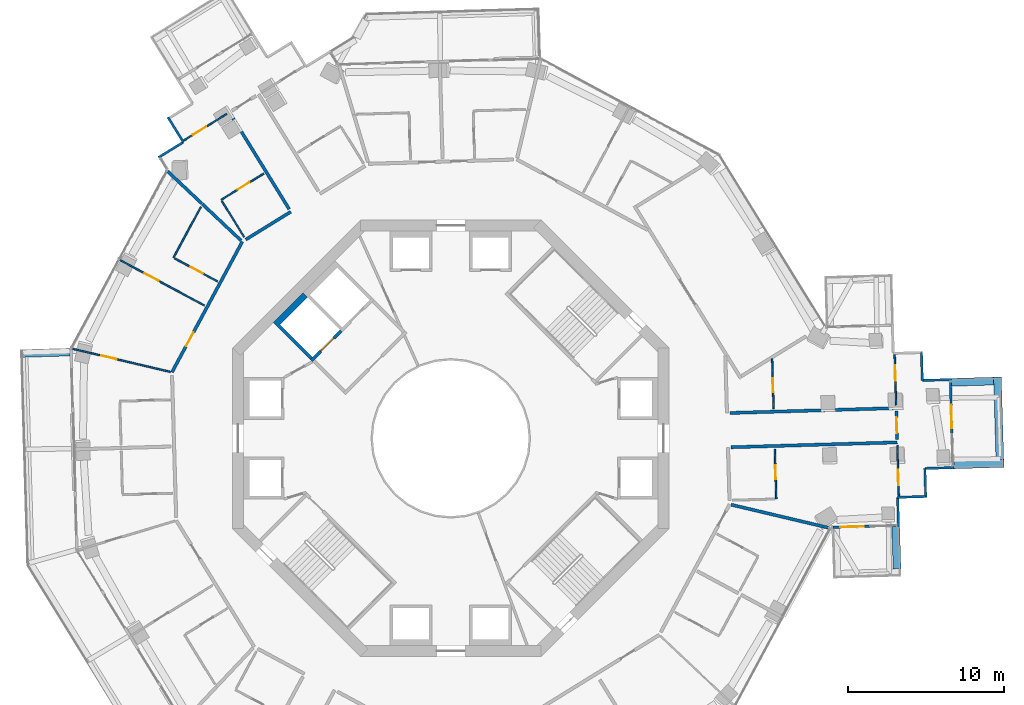
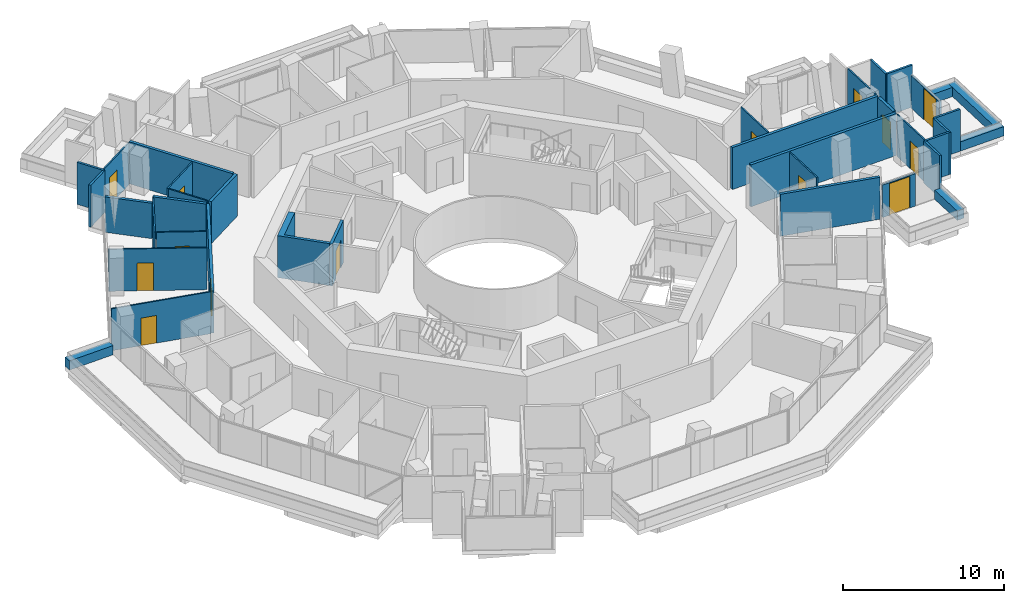
# One storey, part 17 of 22: 37 walls, 14 doors, 14 openings.
"""IFC4 building model written with IfcOpenShell, lengths in metres."""

from ifc_helpers import new_model, si_unit, direction, frame, frame_2d, origin, place, context, subcontext, project, spatial, polyline, rectangle, outline, extrude, material, layer, layer_set, type_object, element, fill, save


model = new_model("IFC4")

# Units and contexts
model_context = context("Model", 3, precision=1e-05, world=origin(), true_north=direction((0.0, 1.0)))
body_context = subcontext(model_context, "Body", "Model", "MODEL_VIEW")
ifc_project = project(units=[si_unit("LENGTHUNIT", "METRE"), si_unit("AREAUNIT", "SQUARE_METRE"), si_unit("VOLUMEUNIT", "CUBIC_METRE"), si_unit("PLANEANGLEUNIT", "RADIAN"), si_unit("MASSUNIT", "GRAM", prefix="KILO")], contexts=[model_context])

# Site, building, storey
site_placement = place(None, origin())
site = spatial("IfcSite", under=ifc_project, at=site_placement, CompositionType="ELEMENT")
building_placement = place(site_placement, origin())
building = spatial("IfcBuilding", under=site, at=building_placement, Name="Verdalira Terraces Hotel", CompositionType="ELEMENT")
storey_placement = place(building_placement, frame((0.0, 0.0, 162.0)))
storey = spatial("IfcBuildingStorey", under=building, at=storey_placement, Name="L39", CompositionType="ELEMENT", Elevation=162.0)

# Walls
ifc_material_1 = material(Name="Concrete C40", Category="concrete")
ifc_layer_1 = layer(ifc_material_1, 0.5)
ifc_layer_set_1 = layer_set([ifc_layer_1], Name="Balcony planter trough with tree")
wall_type_1 = type_object("IfcWallType", Name="Balcony planter trough with tree", PredefinedType="SOLIDWALL", material=ifc_layer_set_1)
wall_1_placement = place(storey_placement, frame((-24.432129, 5.536133, 0.0), z_axis=(0.0, 0.0, 1.0), x_axis=(-0.99957052, -0.029304862, 0.0)))
element("IfcWall", 1, at=wall_1_placement, inside=storey, type_object=wall_type_1, Name="Balcony planter", PredefinedType="SOLIDWALL", context=body_context, shape_type="SweptSolid", body=[
    extrude(rectangle(XDim=3.199219, YDim=0.5, at=frame_2d((1.599609, 0.0))), origin(), (0.0, 0.0, 1.0), 0.699951),
])
wall_2_placement = place(storey_placement, frame((28.628906, -8.364258, 0.0), z_axis=(0.0, 0.0, 1.0), x_axis=(-0.029308671, 0.999570409, 0.0)))
element("IfcWall", 2, at=wall_2_placement, inside=storey, type_object=wall_type_1, Name="Balcony planter", PredefinedType="SOLIDWALL", context=body_context, shape_type="SweptSolid", body=[
    extrude(rectangle(XDim=2.698975, YDim=0.5, at=frame_2d((1.349609, 0.0))), origin(), (0.0, 0.0, 1.0), 0.699951),
])
wall_3_placement = place(storey_placement, frame((32.286377, -1.704102, 0.0), z_axis=(0.0, 0.0, 1.0), x_axis=(0.999570455, 0.029307097, 0.0)))
element("IfcWall", 3, at=wall_3_placement, inside=storey, type_object=wall_type_1, Name="Balcony planter", PredefinedType="SOLIDWALL", context=body_context, shape_type="SweptSolid", body=[
    extrude(rectangle(XDim=3.198975, YDim=0.5, at=frame_2d((1.599609, 0.0))), origin(), (0.0, 0.0, 1.0), 0.699951),
])
wall_4_placement = place(storey_placement, frame((35.226807, -1.36792, 0.0), z_axis=(0.0, 0.0, 1.0), x_axis=(-0.029342199, 0.999569425, 0.0)))
element("IfcWall", 4, at=wall_4_placement, inside=storey, type_object=wall_type_1, Name="Balcony planter", PredefinedType="SOLIDWALL", context=body_context, shape_type="SweptSolid", body=[
    extrude(rectangle(XDim=5.300049, YDim=0.5, at=frame_2d((2.649902, 0.0))), origin(), (0.0, 0.0, 1.0), 0.699951),
])
wall_5_placement = place(storey_placement, frame((34.828857, 3.672607, 0.0), z_axis=(0.0, 0.0, 1.0), x_axis=(-0.999570486, -0.029306021, 0.0)))
element("IfcWall", 5, at=wall_5_placement, inside=storey, type_object=wall_type_1, Name="Balcony planter", PredefinedType="SOLIDWALL", context=body_context, shape_type="SweptSolid", body=[
    extrude(rectangle(XDim=2.699219, YDim=0.5, at=frame_2d((1.349609, 0.0))), origin(), (0.0, 0.0, 1.0), 0.699951),
])

# Wall, opening, door
ifc_material_2 = material(Name="Moisture-resistant gypsum board partition")
ifc_layer_2 = layer(ifc_material_2, 0.10009765625)
ifc_layer_set_2 = layer_set([ifc_layer_2], Name="Bathroom partition 100 mm")
wall_type_2 = type_object("IfcWallType", Name="Bathroom partition 100 mm", PredefinedType="PARTITIONING", material=ifc_layer_set_2)
wall_6_placement = place(storey_placement, frame((-17.990967, 4.259521, 0.0), z_axis=(0.0, 0.0, 1.0), x_axis=(-0.973098307, 0.230390289, 0.0)))
wall_6 = element("IfcWall", 6, at=wall_6_placement, inside=storey, type_object=wall_type_2, Name="Bathroom partition", PredefinedType="PARTITIONING", context=body_context, shape_type="SweptSolid", body=[
    extrude(rectangle(XDim=6.47583, YDim=0.100098, at=frame_2d((3.237793, 0.0))), origin(), (0.0, 0.0, 1.0), 3.189941),
])
opening_1_placement = place(wall_6_placement, frame((3.550049, 0.0, 0.0)))
opening_1 = element("IfcOpeningElement", 7, at=opening_1_placement, cuts=wall_6, Name="Opening L39-108", PredefinedType="OPENING", context=body_context, shape_type="SweptSolid", body=[
    extrude(rectangle(XDim=1.0, YDim=2.100098, at=frame_2d((0.5, 1.050049))), frame((0.0, 0.060059, 0.0), z_axis=(0.0, -1.0, 0.0), x_axis=(1.0, 0.0, 0.0)), (0.0, 0.0, 1.0), 0.120117),
])
ifc_material_3 = material(Name="Timber door", Category="wood")
door_type_1 = type_object("IfcDoorType", Name="Suite internal door 1000 x 2100", OperationType="NOTDEFINED", PredefinedType="DOOR", material=ifc_material_3)
door_1_placement = place(opening_1_placement, origin())
door_1 = element("IfcDoor", 8, at=door_1_placement, inside=storey, type_object=door_type_1, Name="Suite internal door 3902", OperationType="SINGLE_SWING_LEFT", OverallHeight=2.10009765625, OverallWidth=1.0, PredefinedType="DOOR", context=body_context, shape_type="SweptSolid", body=[
    extrude(rectangle(XDim=1.0, YDim=2.100098, at=frame_2d((0.5, 1.050049))), frame((0.0, 0.024902, 0.0), z_axis=(0.0, -1.0, 0.0), x_axis=(1.0, 0.0, 0.0)), (0.0, 0.0, 1.0), 0.050049),
])
fill(opening_1, door_1)

wall_7_placement = place(storey_placement, frame((-21.2229, 11.437012, 0.0), z_axis=(0.0, 0.0, 1.0), x_axis=(0.880304066, -0.474409898, 0.0)))
wall_7 = element("IfcWall", 9, at=wall_7_placement, inside=storey, type_object=wall_type_2, Name="Bathroom partition", PredefinedType="PARTITIONING", context=body_context, shape_type="SweptSolid", body=[
    extrude(rectangle(XDim=6.150146, YDim=0.100098, at=frame_2d((3.075195, 0.0))), origin(), (0.0, 0.0, 1.0), 3.189941),
])
opening_2_placement = place(wall_7_placement, frame((1.800049, 0.0, 0.0)))
opening_2 = element("IfcOpeningElement", 10, at=opening_2_placement, cuts=wall_7, Name="Opening L39-107", PredefinedType="OPENING", context=body_context, shape_type="SweptSolid", body=[
    extrude(rectangle(XDim=1.0, YDim=2.100098, at=frame_2d((0.5, 1.050049))), frame((0.0, 0.060059, 0.0), z_axis=(0.0, -1.0, 0.0), x_axis=(1.0, 0.0, 0.0)), (0.0, 0.0, 1.0), 0.120117),
])
door_2_placement = place(opening_2_placement, origin())
door_2 = element("IfcDoor", 11, at=door_2_placement, inside=storey, type_object=door_type_1, Name="Suite internal door 3902", OperationType="SINGLE_SWING_LEFT", OverallHeight=2.10009765625, OverallWidth=1.0, PredefinedType="DOOR", context=body_context, shape_type="SweptSolid", body=[
    extrude(rectangle(XDim=1.0, YDim=2.100098, at=frame_2d((0.5, 1.050049))), frame((0.0, 0.024902, 0.0), z_axis=(0.0, -1.0, 0.0), x_axis=(1.0, 0.0, 0.0)), (0.0, 0.0, 1.0), 0.050049),
])
fill(opening_2, door_2)

# Wall
wall_8_placement = place(storey_placement, frame((-16.034668, 14.845947, 0.0), z_axis=(0.0, 0.0, 1.0), x_axis=(-0.474371009, -0.880325023, 0.0)))
element("IfcWall", 12, at=wall_8_placement, inside=storey, type_object=wall_type_2, Name="Bathroom partition", PredefinedType="PARTITIONING", context=body_context, shape_type="SweptSolid", body=[
    extrude(rectangle(XDim=3.704102, YDim=0.100098, at=frame_2d((1.852051, 0.0))), origin(), (0.0, 0.0, 1.0), 3.189941),
])

# Wall, opening, door
wall_9_placement = place(storey_placement, frame((-17.703857, 11.537842, 0.0), z_axis=(0.0, 0.0, 1.0), x_axis=(0.880304146, -0.474409749, 0.0)))
wall_9 = element("IfcWall", 13, at=wall_9_placement, inside=storey, type_object=wall_type_2, Name="Bathroom partition", PredefinedType="PARTITIONING", context=body_context, shape_type="SweptSolid", body=[
    extrude(rectangle(XDim=3.100098, YDim=0.100098, at=frame_2d((1.550049, 0.0))), origin(), (0.0, 0.0, 1.0), 3.189941),
])
opening_3_placement = place(wall_9_placement, frame((1.149902, 0.0, 0.0)))
opening_3 = element("IfcOpeningElement", 14, at=opening_3_placement, cuts=wall_9, Name="Opening L39-109", PredefinedType="OPENING", context=body_context, shape_type="SweptSolid", body=[
    extrude(rectangle(XDim=0.899902, YDim=2.100098, at=frame_2d((0.449951, 1.050049))), frame((0.0, 0.060059, 0.0), z_axis=(0.0, -1.0, 0.0), x_axis=(1.0, 0.0, 0.0)), (0.0, 0.0, 1.0), 0.120117),
])
ifc_material_4 = material(Name="Timber door", Category="wood")
door_type_2 = type_object("IfcDoorType", Name="Bathroom door 900 x 2100", OperationType="NOTDEFINED", PredefinedType="DOOR", material=ifc_material_4)
door_3_placement = place(opening_3_placement, origin())
door_3 = element("IfcDoor", 15, at=door_3_placement, inside=storey, type_object=door_type_2, Name="Bathroom door 3902", OperationType="SINGLE_SWING_LEFT", OverallHeight=2.10009765625, OverallWidth=0.89990234375, PredefinedType="DOOR", context=body_context, shape_type="SweptSolid", body=[
    extrude(rectangle(XDim=0.899902, YDim=2.100098, at=frame_2d((0.449951, 1.050049))), frame((0.0, 0.024902, 0.0), z_axis=(0.0, -1.0, 0.0), x_axis=(1.0, 0.0, 0.0)), (0.0, 0.0, 1.0), 0.050049),
])
fill(opening_3, door_3)

wall_10_placement = place(storey_placement, frame((-14.371338, 20.812012, 0.0), z_axis=(0.0, 0.0, 1.0), x_axis=(-0.850987472, -0.525185988, 0.0)))
wall_10 = element("IfcWall", 16, at=wall_10_placement, inside=storey, type_object=wall_type_2, Name="Bathroom partition", PredefinedType="PARTITIONING", context=body_context, shape_type="SweptSolid", body=[
    extrude(rectangle(XDim=3.252197, YDim=0.100098, at=frame_2d((1.625977, 0.0))), origin(), (0.0, 0.0, 1.0), 3.189941),
])
opening_4_placement = place(wall_10_placement, frame((1.550049, 0.0, 0.0)))
opening_4 = element("IfcOpeningElement", 17, at=opening_4_placement, cuts=wall_10, Name="Opening L39-103", PredefinedType="OPENING", context=body_context, shape_type="SweptSolid", body=[
    extrude(rectangle(XDim=1.0, YDim=2.100098, at=frame_2d((0.5, 1.050049))), frame((0.0, 0.060059, 0.0), z_axis=(0.0, -1.0, 0.0), x_axis=(1.0, 0.0, 0.0)), (0.0, 0.0, 1.0), 0.120117),
])
door_4_placement = place(opening_4_placement, origin())
door_4 = element("IfcDoor", 18, at=door_4_placement, inside=storey, type_object=door_type_1, Name="Suite internal door 3901", OperationType="SINGLE_SWING_LEFT", OverallHeight=2.10009765625, OverallWidth=1.0, PredefinedType="DOOR", context=body_context, shape_type="SweptSolid", body=[
    extrude(rectangle(XDim=1.0, YDim=2.100098, at=frame_2d((0.5, 1.050049))), frame((0.0, 0.024902, 0.0), z_axis=(0.0, -1.0, 0.0), x_axis=(1.0, 0.0, 0.0)), (0.0, 0.0, 1.0), 0.050049),
])
fill(opening_4, door_4)

# Wall
wall_11_placement = place(storey_placement, frame((-14.678711, 15.216797, 0.0), z_axis=(0.0, 0.0, 1.0), x_axis=(0.52518675, -0.850987002, 0.0)))
element("IfcWall", 19, at=wall_11_placement, inside=storey, type_object=wall_type_2, Name="Bathroom partition", PredefinedType="PARTITIONING", context=body_context, shape_type="SweptSolid", body=[
    extrude(rectangle(XDim=2.699951, YDim=0.100098, at=frame_2d((1.350098, 0.0))), origin(), (0.0, 0.0, 1.0), 3.189941),
])

# Wall, opening, door
wall_12_placement = place(storey_placement, frame((-12.008057, 16.982422, 0.0), z_axis=(0.0, 0.0, 1.0), x_axis=(-0.851010621, -0.525148476, 0.0)))
wall_12 = element("IfcWall", 20, at=wall_12_placement, inside=storey, type_object=wall_type_2, Name="Bathroom partition", PredefinedType="PARTITIONING", context=body_context, shape_type="SweptSolid", body=[
    extrude(rectangle(XDim=3.199951, YDim=0.100098, at=frame_2d((1.600098, 0.0))), origin(), (0.0, 0.0, 1.0), 3.189941),
])
opening_5_placement = place(wall_12_placement, frame((1.050049, 0.0, 0.0)))
opening_5 = element("IfcOpeningElement", 21, at=opening_5_placement, cuts=wall_12, Name="Opening L39-105", PredefinedType="OPENING", context=body_context, shape_type="SweptSolid", body=[
    extrude(rectangle(XDim=0.899902, YDim=2.100098, at=frame_2d((0.449951, 1.050049))), frame((0.0, 0.060059, 0.0), z_axis=(0.0, -1.0, 0.0), x_axis=(1.0, 0.0, 0.0)), (0.0, 0.0, 1.0), 0.120117),
])
door_5_placement = place(opening_5_placement, origin())
door_5 = element("IfcDoor", 22, at=door_5_placement, inside=storey, type_object=door_type_2, Name="Bathroom door 3901", OperationType="SINGLE_SWING_RIGHT", OverallHeight=2.10009765625, OverallWidth=0.89990234375, PredefinedType="DOOR", context=body_context, shape_type="SweptSolid", body=[
    extrude(rectangle(XDim=0.899902, YDim=2.100098, at=frame_2d((0.449951, 1.050049))), frame((0.0, 0.024902, 0.0), z_axis=(0.0, -1.0, 0.0), x_axis=(1.0, 0.0, 0.0)), (0.0, 0.0, 1.0), 0.050049),
])
fill(opening_5, door_5)

wall_13_placement = place(storey_placement, frame((20.711182, 1.907959, 0.0), z_axis=(0.0, 0.0, 1.0), x_axis=(-0.029302627, 0.999570586, 0.0)))
wall_13 = element("IfcWall", 23, at=wall_13_placement, inside=storey, type_object=wall_type_2, Name="Bathroom partition", PredefinedType="PARTITIONING", context=body_context, shape_type="SweptSolid", body=[
    extrude(rectangle(XDim=3.199463, YDim=0.100098, at=frame_2d((1.599609, 0.0))), origin(), (0.0, 0.0, 1.0), 3.189941),
])
opening_6_placement = place(wall_13_placement, frame((1.050049, 0.0, 0.0)))
opening_6 = element("IfcOpeningElement", 24, at=opening_6_placement, cuts=wall_13, Name="Opening L39-132", PredefinedType="OPENING", context=body_context, shape_type="SweptSolid", body=[
    extrude(rectangle(XDim=0.899902, YDim=2.100098, at=frame_2d((0.449951, 1.050049))), frame((0.0, 0.060059, 0.0), z_axis=(0.0, -1.0, 0.0), x_axis=(1.0, 0.0, 0.0)), (0.0, 0.0, 1.0), 0.120117),
])
door_6_placement = place(opening_6_placement, origin())
door_6 = element("IfcDoor", 25, at=door_6_placement, inside=storey, type_object=door_type_2, Name="Bathroom door 3909", OperationType="SINGLE_SWING_RIGHT", OverallHeight=2.10009765625, OverallWidth=0.89990234375, PredefinedType="DOOR", context=body_context, shape_type="SweptSolid", body=[
    extrude(rectangle(XDim=0.899902, YDim=2.100098, at=frame_2d((0.449951, 1.050049))), frame((0.0, 0.024902, 0.0), z_axis=(0.0, -1.0, 0.0), x_axis=(1.0, 0.0, 0.0)), (0.0, 0.0, 1.0), 0.050049),
])
fill(opening_6, door_6)

wall_14_placement = place(storey_placement, frame((20.881348, -3.889404, 0.0), z_axis=(0.0, 0.0, 1.0), x_axis=(-0.029298157, 0.999570717, 0.0)))
wall_14 = element("IfcWall", 26, at=wall_14_placement, inside=storey, type_object=wall_type_2, Name="Bathroom partition", PredefinedType="PARTITIONING", context=body_context, shape_type="SweptSolid", body=[
    extrude(rectangle(XDim=3.199951, YDim=0.100098, at=frame_2d((1.600098, 0.0))), origin(), (0.0, 0.0, 1.0), 3.189941),
])
opening_7_placement = place(wall_14_placement, frame((1.25, 0.0, 0.0)))
opening_7 = element("IfcOpeningElement", 27, at=opening_7_placement, cuts=wall_14, Name="Opening L39-131", PredefinedType="OPENING", context=body_context, shape_type="SweptSolid", body=[
    extrude(rectangle(XDim=0.899902, YDim=2.100098, at=frame_2d((0.449951, 1.050049))), frame((0.0, 0.060059, 0.0), z_axis=(0.0, -1.0, 0.0), x_axis=(1.0, 0.0, 0.0)), (0.0, 0.0, 1.0), 0.120117),
])
door_7_placement = place(opening_7_placement, origin())
door_7 = element("IfcDoor", 28, at=door_7_placement, inside=storey, type_object=door_type_2, Name="Bathroom door 3909", OperationType="SINGLE_SWING_LEFT", OverallHeight=2.10009765625, OverallWidth=0.89990234375, PredefinedType="DOOR", context=body_context, shape_type="SweptSolid", body=[
    extrude(rectangle(XDim=0.899902, YDim=2.100098, at=frame_2d((0.449951, 1.050049))), frame((0.0, 0.024902, 0.0), z_axis=(0.0, -1.0, 0.0), x_axis=(1.0, 0.0, 0.0)), (0.0, 0.0, 1.0), 0.050049),
])
fill(opening_7, door_7)

wall_15_placement = place(storey_placement, frame((28.571045, 2.138428, 0.0), z_axis=(0.0, 0.0, 1.0), x_axis=(-0.029295304, 0.9995708, 0.0)))
wall_15 = element("IfcWall", 29, at=wall_15_placement, inside=storey, type_object=wall_type_2, Name="Bathroom partition", PredefinedType="PARTITIONING", context=body_context, shape_type="SweptSolid", body=[
    extrude(rectangle(XDim=3.250244, YDim=0.100098, at=frame_2d((1.625, 0.0))), origin(), (0.0, 0.0, 1.0), 3.189941),
])
opening_8_placement = place(wall_15_placement, frame((1.550049, 0.0, 0.0)))
opening_8 = element("IfcOpeningElement", 30, at=opening_8_placement, cuts=wall_15, Name="Opening L39-130", PredefinedType="OPENING", context=body_context, shape_type="SweptSolid", body=[
    extrude(rectangle(XDim=1.0, YDim=2.100098, at=frame_2d((0.5, 1.050049))), frame((0.0, 0.060059, 0.0), z_axis=(0.0, -1.0, 0.0), x_axis=(1.0, 0.0, 0.0)), (0.0, 0.0, 1.0), 0.120117),
])
door_8_placement = place(opening_8_placement, origin())
door_8 = element("IfcDoor", 31, at=door_8_placement, inside=storey, type_object=door_type_1, Name="Suite internal door 3909", OperationType="SINGLE_SWING_LEFT", OverallHeight=2.10009765625, OverallWidth=1.0, PredefinedType="DOOR", context=body_context, shape_type="SweptSolid", body=[
    extrude(rectangle(XDim=1.0, YDim=2.100098, at=frame_2d((0.5, 1.050049))), frame((0.0, 0.024902, 0.0), z_axis=(0.0, -1.0, 0.0), x_axis=(1.0, 0.0, 0.0)), (0.0, 0.0, 1.0), 0.050049),
])
fill(opening_8, door_8)

wall_16_placement = place(storey_placement, frame((28.742676, -3.710938, 0.0), z_axis=(0.0, 0.0, 1.0), x_axis=(-0.029352724, 0.999569116, 0.0)))
wall_16 = element("IfcWall", 32, at=wall_16_placement, inside=storey, type_object=wall_type_2, Name="Bathroom partition", PredefinedType="PARTITIONING", context=body_context, shape_type="SweptSolid", body=[
    extrude(rectangle(XDim=3.252197, YDim=0.100098, at=frame_2d((1.625977, 0.0))), origin(), (0.0, 0.0, 1.0), 3.189941),
])
opening_9_placement = place(wall_16_placement, frame((0.699951, 0.0, 0.0)))
opening_9 = element("IfcOpeningElement", 33, at=opening_9_placement, cuts=wall_16, Name="Opening L39-129", PredefinedType="OPENING", context=body_context, shape_type="SweptSolid", body=[
    extrude(rectangle(XDim=1.0, YDim=2.100098, at=frame_2d((0.5, 1.050049))), frame((0.0, 0.060059, 0.0), z_axis=(0.0, -1.0, 0.0), x_axis=(1.0, 0.0, 0.0)), (0.0, 0.0, 1.0), 0.120117),
])
door_9_placement = place(opening_9_placement, origin())
door_9 = element("IfcDoor", 34, at=door_9_placement, inside=storey, type_object=door_type_1, Name="Suite internal door 3909", OperationType="SINGLE_SWING_LEFT", OverallHeight=2.10009765625, OverallWidth=1.0, PredefinedType="DOOR", context=body_context, shape_type="SweptSolid", body=[
    extrude(rectangle(XDim=1.0, YDim=2.100098, at=frame_2d((0.5, 1.050049))), frame((0.0, 0.024902, 0.0), z_axis=(0.0, -1.0, 0.0), x_axis=(1.0, 0.0, 0.0)), (0.0, 0.0, 1.0), 0.050049),
])
fill(opening_9, door_9)

# Wall
ifc_material_5 = material(Name="Concrete C50", Category="concrete")
ifc_layer_3 = layer(ifc_material_5, 0.199951171875)
ifc_layer_set_3 = layer_set([ifc_layer_3], Name="Core RC wall 200 C50")
wall_type_3 = type_object("IfcWallType", Name="Core RC wall 200 C50", PredefinedType="SOLIDWALL", material=ifc_layer_set_3)
wall_17_placement = place(storey_placement, origin())
element("IfcWall", 35, at=wall_17_placement, inside=storey, type_object=wall_type_3, Name="L39 shaft wall F2", PredefinedType="SOLIDWALL", context=body_context, shape_type="SweptSolid", body=[
    extrude(outline(polyline([(-11.384521, 7.424561), (-9.475098, 9.33374), (-9.192383, 9.051025), (-10.960205, 7.283203), (-8.874268, 5.197266), (-9.015625, 5.055908), (-11.384521, 7.424561)])), origin(), (0.0, 0.0, 1.0), 3.189941),
])

# Wall, opening, door
wall_18_placement = place(storey_placement, frame((-7.035645, 6.894287, 0.0), z_axis=(0.0, 0.0, 1.0), x_axis=(-0.707106781, -0.707106781, 0.0)))
wall_18 = element("IfcWall", 36, at=wall_18_placement, inside=storey, type_object=wall_type_3, Name="L39 shaft front wall F2", PredefinedType="SOLIDWALL", context=body_context, shape_type="SweptSolid", body=[
    extrude(rectangle(XDim=2.699951, YDim=0.199951, at=frame_2d((1.350098, 0.0))), origin(), (0.0, 0.0, 1.0), 3.189941),
])
opening_10_placement = place(wall_18_placement, frame((0.649902, 0.0, 0.0)))
opening_10 = element("IfcOpeningElement", 37, at=opening_10_placement, cuts=wall_18, Name="Opening LD-L39-808", PredefinedType="OPENING", context=body_context, shape_type="SweptSolid", body=[
    extrude(rectangle(XDim=1.199951, YDim=2.100098, at=frame_2d((0.600098, 1.050049))), frame((0.0, 0.109863, 0.0), z_axis=(0.0, -1.0, 0.0), x_axis=(1.0, 0.0, 0.0)), (0.0, 0.0, 1.0), 0.219971),
])
ifc_material_6 = material(Name="Stainless steel", Category="steel")
door_type_3 = type_object("IfcDoorType", Name="Landing door 1200 x 2100", OperationType="NOTDEFINED", PredefinedType="DOOR", material=ifc_material_6)
door_10_placement = place(opening_10_placement, origin())
door_10 = element("IfcDoor", 38, at=door_10_placement, inside=storey, type_object=door_type_3, Name="Lift landing door LF12 L39", OperationType="DOUBLE_DOOR_SLIDING", OverallHeight=2.10009765625, OverallWidth=1.199951171875, PredefinedType="DOOR", context=body_context, shape_type="SweptSolid", body=[
    extrude(rectangle(XDim=1.199951, YDim=2.100098, at=frame_2d((0.600098, 1.050049))), frame((0.0, 0.024902, 0.0), z_axis=(0.0, -1.0, 0.0), x_axis=(1.0, 0.0, 0.0)), (0.0, 0.0, 1.0), 0.050049),
])
fill(opening_10, door_10)

# Walls
ifc_material_7 = material(Name="Fire-rated gypsum board wall")
ifc_layer_4 = layer(ifc_material_7, 0.199951171875)
ifc_layer_set_4 = layer_set([ifc_layer_4], Name="Demising wall 200 mm")
wall_type_4 = type_object("IfcWallType", Name="Demising wall 200 mm", PredefinedType="SOLIDWALL", material=ifc_layer_set_4)
wall_19_placement = place(storey_placement, frame((-13.450928, 12.684326, 0.0), z_axis=(0.0, 0.0, 1.0), x_axis=(-0.727549683, 0.686054997, 0.0)))
element("IfcWall", 39, at=wall_19_placement, inside=storey, type_object=wall_type_4, Name="Demising wall", PredefinedType="SOLIDWALL", context=body_context, shape_type="SweptSolid", body=[
    extrude(rectangle(XDim=3.418457, YDim=0.199951, at=frame_2d((1.709229, 0.0))), origin(), (0.0, 0.0, 1.0), 3.189941),
])
wall_20_placement = place(storey_placement, frame((17.990967, -4.259521, 0.0), z_axis=(0.0, 0.0, 1.0), x_axis=(0.973098307, -0.230390289, 0.0)))
element("IfcWall", 40, at=wall_20_placement, inside=storey, type_object=wall_type_4, Name="Demising wall", PredefinedType="SOLIDWALL", context=body_context, shape_type="SweptSolid", body=[
    extrude(rectangle(XDim=6.47583, YDim=0.199951, at=frame_2d((3.237793, 0.0))), origin(), (0.0, 0.0, 1.0), 3.189941),
])
ifc_material_8 = material(Name="Fire-rated gypsum board wall")
ifc_layer_5 = layer(ifc_material_8, 0.199951171875)
ifc_layer_set_5 = layer_set([ifc_layer_5], Name="Demising wall 200 mm to beam soffit")
wall_type_5 = type_object("IfcWallType", Name="Demising wall 200 mm to beam soffit", PredefinedType="SOLIDWALL", material=ifc_layer_set_5)
wall_21_placement = place(storey_placement, frame((-15.971191, 15.061035, 0.0), z_axis=(0.0, 0.0, 1.0), x_axis=(-0.727516566, 0.686090115, 0.0)))
element("IfcWall", 41, at=wall_21_placement, inside=storey, type_object=wall_type_5, Name="Demising wall", PredefinedType="SOLIDWALL", context=body_context, shape_type="SweptSolid", body=[
    extrude(rectangle(XDim=3.011475, YDim=0.199951, at=frame_2d((1.505859, 0.0))), origin(), (0.0, 0.0, 1.0), 2.689941),
])

# Wall, opening, door
ifc_material_9 = material(Name="Fire-rated gypsum board wall")
ifc_layer_6 = layer(ifc_material_9, 0.199951171875)
ifc_layer_set_6 = layer_set([ifc_layer_6], Name="Guest corridor wall 200 mm")
wall_type_6 = type_object("IfcWallType", Name="Guest corridor wall 200 mm", PredefinedType="SOLIDWALL", material=ifc_layer_set_6)
wall_22_placement = place(storey_placement, frame((-17.890137, 4.235596, 0.0), z_axis=(0.0, 0.0, 1.0), x_axis=(0.474391993, 0.880313715, 0.0)))
wall_22 = element("IfcWall", 42, at=wall_22_placement, inside=storey, type_object=wall_type_6, Name="Guest corridor wall", PredefinedType="SOLIDWALL", context=body_context, shape_type="SweptSolid", body=[
    extrude(rectangle(XDim=9.516602, YDim=0.199951, at=frame_2d((4.758301, 0.0))), origin(), (0.0, 0.0, 1.0), 3.189941),
])
opening_11_placement = place(wall_22_placement, frame((1.899902, 0.0, 0.0)))
opening_11 = element("IfcOpeningElement", 43, at=opening_11_placement, cuts=wall_22, Name="Opening L39-106", PredefinedType="OPENING", context=body_context, shape_type="SweptSolid", body=[
    extrude(rectangle(XDim=1.0, YDim=2.100098, at=frame_2d((0.5, 1.050049))), frame((0.0, 0.109863, 0.0), z_axis=(0.0, -1.0, 0.0), x_axis=(1.0, 0.0, 0.0)), (0.0, 0.0, 1.0), 0.219971),
])
ifc_material_10 = material(Name="Timber fire door", Category="wood")
door_type_4 = type_object("IfcDoorType", Name="Guest entry door 1000 x 2100", OperationType="NOTDEFINED", PredefinedType="DOOR", material=ifc_material_10)
door_11_placement = place(opening_11_placement, origin())
door_11 = element("IfcDoor", 44, at=door_11_placement, inside=storey, type_object=door_type_4, Name="Guest entry door 3902", OperationType="SINGLE_SWING_LEFT", OverallHeight=2.10009765625, OverallWidth=1.0, PredefinedType="DOOR", context=body_context, shape_type="SweptSolid", body=[
    extrude(rectangle(XDim=1.0, YDim=2.100098, at=frame_2d((0.5, 1.050049))), frame((0.0, 0.024902, 0.0), z_axis=(0.0, -1.0, 0.0), x_axis=(1.0, 0.0, 0.0)), (0.0, 0.0, 1.0), 0.050049),
])
fill(opening_11, door_11)

# Walls
wall_23_placement = place(storey_placement, frame((-14.201172, 20.916992, 0.0), z_axis=(0.0, 0.0, 1.0), x_axis=(0.525162469, -0.851001986, 0.0)))
element("IfcWall", 45, at=wall_23_placement, inside=storey, type_object=wall_type_6, Name="Guest corridor wall", PredefinedType="SOLIDWALL", context=body_context, shape_type="SweptSolid", body=[
    extrude(rectangle(XDim=7.300049, YDim=0.199951, at=frame_2d((3.649902, 0.0))), origin(), (0.0, 0.0, 1.0), 3.189941),
])
wall_24_placement = place(storey_placement, frame((-10.262207, 14.534424, 0.0), z_axis=(0.0, 0.0, 1.0), x_axis=(-0.851033965, -0.525110647, 0.0)))
element("IfcWall", 46, at=wall_24_placement, inside=storey, type_object=wall_type_6, Name="Guest corridor wall", PredefinedType="SOLIDWALL", context=body_context, shape_type="SweptSolid", body=[
    extrude(rectangle(XDim=3.400146, YDim=0.199951, at=frame_2d((1.700195, 0.0))), origin(), (0.0, 0.0, 1.0), 3.189941),
])
for number, where, z_axis, x_axis, name in (
    (47, (28.576904, 1.938721, 0.0), (0.0, 0.0, 1.0), (-0.99956979, -0.02932975, 0.0), "Guest corridor wall"),
    (48, (17.98291, -0.572998, 0.0), (0.0, 0.0, 1.0), (0.999570461, 0.029306874, 0.0), "Guest corridor wall"),
):
    element("IfcWall", number, at=place(storey_placement, frame(where, z_axis=z_axis, x_axis=x_axis)), inside=storey, type_object=wall_type_6, Name=name, PredefinedType="SOLIDWALL", context=body_context, shape_type="SweptSolid", body=[
        extrude(rectangle(XDim=10.663086, YDim=0.199951, at=frame_2d((5.331543, 0.0))), origin(), (0.0, 0.0, 1.0), 3.189941),
    ])

# Wall, opening, door
wall_25_placement = place(storey_placement, frame((28.582764, 1.740723, 0.0), z_axis=(0.0, 0.0, 1.0), x_axis=(0.029232019, -0.999572653, 0.0)))
wall_25 = element("IfcWall", 49, at=wall_25_placement, inside=storey, type_object=wall_type_6, Name="Guest corridor wall", PredefinedType="SOLIDWALL", context=body_context, shape_type="SweptSolid", body=[
    extrude(rectangle(XDim=1.803955, YDim=0.199951, at=frame_2d((0.901855, 0.0))), origin(), (0.0, 0.0, 1.0), 3.189941),
])
opening_12_placement = place(wall_25_placement, frame((0.399902, 0.0, 0.0)))
opening_12 = element("IfcOpeningElement", 50, at=opening_12_placement, cuts=wall_25, Name="Opening L39-128", PredefinedType="OPENING", context=body_context, shape_type="SweptSolid", body=[
    extrude(rectangle(XDim=1.0, YDim=2.100098, at=frame_2d((0.5, 1.050049))), frame((0.0, 0.109863, 0.0), z_axis=(0.0, -1.0, 0.0), x_axis=(1.0, 0.0, 0.0)), (0.0, 0.0, 1.0), 0.219971),
])
door_12_placement = place(opening_12_placement, origin())
door_12 = element("IfcDoor", 51, at=door_12_placement, inside=storey, type_object=door_type_4, Name="Guest entry door 3909", OperationType="SINGLE_SWING_LEFT", OverallHeight=2.10009765625, OverallWidth=1.0, PredefinedType="DOOR", context=body_context, shape_type="SweptSolid", body=[
    extrude(rectangle(XDim=1.0, YDim=2.100098, at=frame_2d((0.5, 1.050049))), frame((0.0, 0.024902, 0.0), z_axis=(0.0, -1.0, 0.0), x_axis=(1.0, 0.0, 0.0)), (0.0, 0.0, 1.0), 0.050049),
])
fill(opening_12, door_12)

# Walls
ifc_material_11 = material(Name="Terracotta cladding", Category="masonry")
ifc_layer_7 = layer(ifc_material_11, 0.14990234375)
ifc_layer_set_7 = layer_set([ifc_layer_7], Name="Terracotta clad wall 150")
wall_type_7 = type_object("IfcWallType", Name="Terracotta clad wall 150", PredefinedType="SOLIDWALL", material=ifc_layer_set_7)
wall_26_placement = place(storey_placement, frame((-18.14624, 20.597656, 0.0), z_axis=(0.0, 0.0, 1.0), x_axis=(0.525215664, -0.850969157, 0.0)))
element("IfcWall", 52, at=wall_26_placement, inside=storey, type_object=wall_type_7, Name="Terracotta cladding wall", PredefinedType="SOLIDWALL", context=body_context, shape_type="SweptSolid", body=[
    extrude(rectangle(XDim=1.875244, YDim=0.149902, at=frame_2d((0.9375, 0.0))), origin(), (0.0, 0.0, 1.0), 3.189941),
])
for number, where, z_axis, x_axis, name in (
    (53, (-17.161377, 19.001953, 0.0), (0.0, 0.0, 1.0), (-0.851027347, -0.525121372, 0.0), "Terracotta cladding wall"),
    (54, (28.724854, -5.6604, 0.0), (0.0, 0.0, 1.0), (-0.029295744, 0.999570788, 0.0), "Terracotta cladding wall"),
):
    element("IfcWall", number, at=place(storey_placement, frame(where, z_axis=z_axis, x_axis=x_axis)), inside=storey, type_object=wall_type_7, Name=name, PredefinedType="SOLIDWALL", context=body_context, shape_type="SweptSolid", body=[
        extrude(rectangle(XDim=1.875, YDim=0.149902, at=frame_2d((0.9375, 0.0))), origin(), (0.0, 0.0, 1.0), 3.189941),
    ])
wall_27_placement = place(storey_placement, frame((28.669922, -3.786133, 0.0), z_axis=(0.0, 0.0, 1.0), x_axis=(0.99957068, 0.029299398, 0.0)))
element("IfcWall", 55, at=wall_27_placement, inside=storey, type_object=wall_type_7, Name="Terracotta cladding wall", PredefinedType="SOLIDWALL", context=body_context, shape_type="SweptSolid", body=[
    extrude(rectangle(XDim=1.799805, YDim=0.149902, at=frame_2d((0.899902, 0.0))), origin(), (0.0, 0.0, 1.0), 3.189941),
])
for number, where, z_axis, x_axis, name in (
    (56, (30.471191, -3.80835, 0.0), (0.0, 0.0, 1.0), (-0.029295744, 0.999570788, 0.0), "Terracotta cladding wall"),
    (57, (30.41626, -1.934082, 0.0), (0.0, 0.0, 1.0), (0.999570788, 0.029295744, 0.0), "Terracotta cladding wall"),
):
    element("IfcWall", number, at=place(storey_placement, frame(where, z_axis=z_axis, x_axis=x_axis)), inside=storey, type_object=wall_type_7, Name=name, PredefinedType="SOLIDWALL", context=body_context, shape_type="SweptSolid", body=[
        extrude(rectangle(XDim=1.875, YDim=0.149902, at=frame_2d((0.9375, 0.0))), origin(), (0.0, 0.0, 1.0), 3.189941),
    ])
wall_28_placement = place(storey_placement, frame((32.124756, 3.768555, 0.0), z_axis=(0.0, 0.0, 1.0), x_axis=(-0.999566854, -0.029429665, 0.0)))
element("IfcWall", 58, at=wall_28_placement, inside=storey, type_object=wall_type_7, Name="Terracotta cladding wall", PredefinedType="SOLIDWALL", context=body_context, shape_type="SweptSolid", body=[
    extrude(rectangle(XDim=1.874756, YDim=0.149902, at=frame_2d((0.9375, 0.0))), origin(), (0.0, 0.0, 1.0), 3.189941),
])
wall_29_placement = place(storey_placement, frame((30.250732, 3.713379, 0.0), z_axis=(0.0, 0.0, 1.0), x_axis=(-0.029430936, 0.999566816, 0.0)))
element("IfcWall", 59, at=wall_29_placement, inside=storey, type_object=wall_type_7, Name="Terracotta cladding wall", PredefinedType="SOLIDWALL", context=body_context, shape_type="SweptSolid", body=[
    extrude(rectangle(XDim=1.800049, YDim=0.149902, at=frame_2d((0.899902, 0.0))), origin(), (0.0, 0.0, 1.0), 3.189941),
])

# Wall, opening, door
ifc_material_12 = material(Name="Terracotta cladding", Category="masonry")
ifc_layer_8 = layer(ifc_material_12, 0.14990234375)
ifc_layer_set_8 = layer_set([ifc_layer_8], Name="Terracotta door pier 150")
wall_type_8 = type_object("IfcWallType", Name="Terracotta door pier 150", PredefinedType="SOLIDWALL", material=ifc_layer_set_8)
wall_30_placement = place(storey_placement, frame((24.506348, -5.708984, 0.0), z_axis=(0.0, 0.0, 1.0), x_axis=(0.999571362, 0.029276149, 0.0)))
wall_30 = element("IfcWall", 60, at=wall_30_placement, inside=storey, type_object=wall_type_8, Name="Terracotta door pier", PredefinedType="SOLIDWALL", context=body_context, shape_type="SweptSolid", body=[
    extrude(rectangle(XDim=2.393311, YDim=0.149902, at=frame_2d((1.196777, 0.0))), origin(), (0.0, 0.0, 1.0), 2.475098),
])
opening_13_placement = place(wall_30_placement, frame((0.493652, 0.0, 0.0)))
opening_13 = element("IfcOpeningElement", 61, at=opening_13_placement, cuts=wall_30, Name="Opening L39-B10", PredefinedType="OPENING", context=body_context, shape_type="SweptSolid", body=[
    extrude(rectangle(XDim=1.5, YDim=2.399902, at=frame_2d((0.75, 1.199951))), frame((0.0, 0.084961, 0.0), z_axis=(0.0, -1.0, 0.0), x_axis=(1.0, 0.0, 0.0)), (0.0, 0.0, 1.0), 0.169922),
])
ifc_material_13 = material(Name="Clear glass", Category="glass")
door_type_5 = type_object("IfcDoorType", Name="Balcony sliding door 1500x2400", OperationType="NOTDEFINED", PredefinedType="DOOR", material=ifc_material_13)
door_13_placement = place(opening_13_placement, origin())
door_13 = element("IfcDoor", 62, at=door_13_placement, inside=storey, type_object=door_type_5, Name="Balcony sliding door", OperationType="SLIDING_TO_LEFT", OverallHeight=2.39990234375, OverallWidth=1.5, PredefinedType="DOOR", context=body_context, shape_type="SweptSolid", body=[
    extrude(rectangle(XDim=1.5, YDim=2.399902, at=frame_2d((0.75, 1.199951))), frame((0.0, 0.024902, 0.0), z_axis=(0.0, -1.0, 0.0), x_axis=(1.0, 0.0, 0.0)), (0.0, 0.0, 1.0), 0.050049),
])
fill(opening_13, door_13)

wall_31_placement = place(storey_placement, frame((32.152832, 0.252686, 0.0), z_axis=(0.0, 0.0, 1.0), x_axis=(-0.029281616, 0.999571202, 0.0)))
wall_31 = element("IfcWall", 63, at=wall_31_placement, inside=storey, type_object=wall_type_8, Name="Terracotta door pier", PredefinedType="SOLIDWALL", context=body_context, shape_type="SweptSolid", body=[
    extrude(rectangle(XDim=3.360107, YDim=0.149902, at=frame_2d((1.680176, 0.0))), origin(), (0.0, 0.0, 1.0), 2.475098),
])
opening_14_placement = place(wall_31_placement, frame((0.399902, 0.0, 0.0)))
opening_14 = element("IfcOpeningElement", 64, at=opening_14_placement, cuts=wall_31, Name="Opening L39-B11", PredefinedType="OPENING", context=body_context, shape_type="SweptSolid", body=[
    extrude(rectangle(XDim=1.5, YDim=2.399902, at=frame_2d((0.75, 1.199951))), frame((0.0, 0.084961, 0.0), z_axis=(0.0, -1.0, 0.0), x_axis=(1.0, 0.0, 0.0)), (0.0, 0.0, 1.0), 0.169922),
])
door_14_placement = place(opening_14_placement, origin())
door_14 = element("IfcDoor", 65, at=door_14_placement, inside=storey, type_object=door_type_5, Name="Balcony sliding door", OperationType="SLIDING_TO_RIGHT", OverallHeight=2.39990234375, OverallWidth=1.5, PredefinedType="DOOR", context=body_context, shape_type="SweptSolid", body=[
    extrude(rectangle(XDim=1.5, YDim=2.399902, at=frame_2d((0.75, 1.199951))), frame((0.0, 0.024902, 0.0), z_axis=(0.0, -1.0, 0.0), x_axis=(1.0, 0.0, 0.0)), (0.0, 0.0, 1.0), 0.050049),
])
fill(opening_14, door_14)

save(model, "model.ifc")
